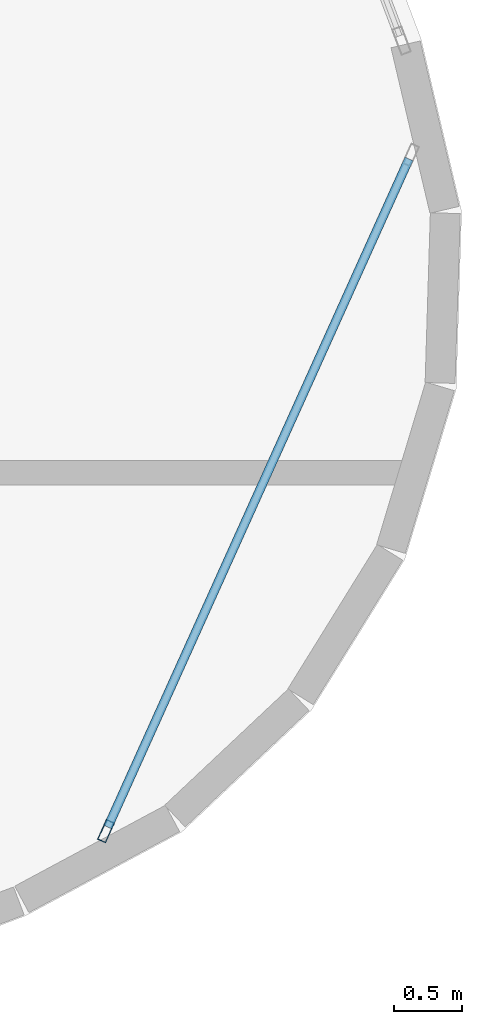
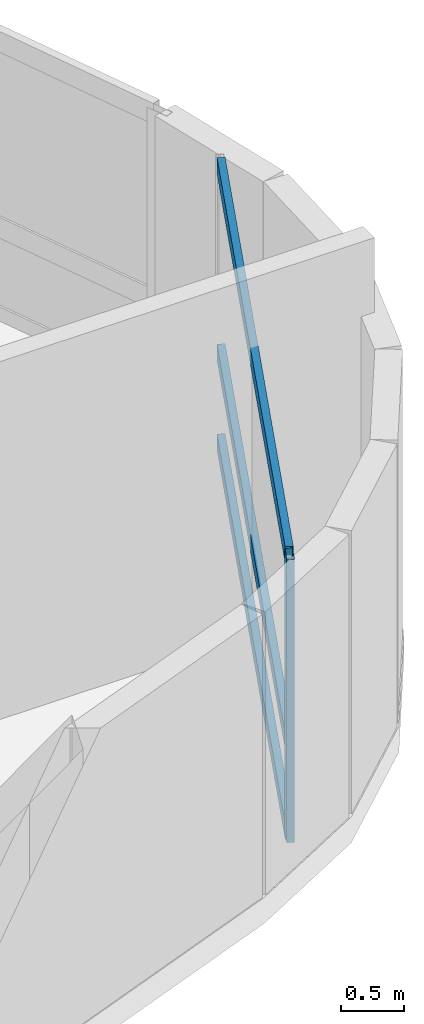
# One storey, part 13 of 23: 4 members, 1 element without a shape of its own.
"""IFC4 building model written with IfcOpenShell, lengths in metres."""

from ifc_helpers import new_model, si_unit, direction, frame, origin, origin_2d, place, context, subcontext, project, spatial, hollow_rectangle, extrude, material, layer, layer_set, material_profile, profile_set, type_object, element, aggregate, save


model = new_model("IFC4")

# Units and contexts
model_context = context("Model", 3, precision=1e-05, world=origin(), true_north=direction((0.0, 1.0)))
body_context = subcontext(model_context, "Body", "Model", "MODEL_VIEW")
ifc_project = project(units=[si_unit("LENGTHUNIT", "METRE"), si_unit("AREAUNIT", "SQUARE_METRE"), si_unit("VOLUMEUNIT", "CUBIC_METRE"), si_unit("PLANEANGLEUNIT", "RADIAN"), si_unit("MASSUNIT", "GRAM", prefix="KILO")], contexts=[model_context])

# Site, building, storey
site_placement = place(None, origin())
site = spatial("IfcSite", under=ifc_project, at=site_placement, CompositionType="ELEMENT")
building_placement = place(site_placement, origin())
building = spatial("IfcBuilding", under=site, at=building_placement, Name="Varnelok Gate Tower", CompositionType="ELEMENT")
storey_placement = place(building_placement, frame((0.0, 0.0, 227.5)))
storey = spatial("IfcBuildingStorey", under=building, at=storey_placement, Name="L58", CompositionType="ELEMENT", Elevation=227.5)

# Curtain wall, members
ifc_material = material(Name="Anodized Aluminum Alloy 6063-T6", Category="aluminium")
ifc_layer = layer(ifc_material, 0.179931640625)
ifc_layer_set = layer_set([ifc_layer], Name="Anodized Aluminum Alloy 6063-T6")
curtain_wall_type = type_object("IfcCurtainWallType", Name="CW5-WINDCORNER-GLAZ", PredefinedType="USERDEFINED", material=ifc_layer_set)
curtain_wall_placement = place(storey_placement, origin())
curtain_wall = element("IfcCurtainWall", 1, at=curtain_wall_placement, inside=storey, type_object=curtain_wall_type, Name="L58 Wind-Shaped Corner Curtain Wall SE", ObjectType="STRUCTURAL GLAZING", PredefinedType="USERDEFINED")
ifc_material_profile_1 = material_profile(ifc_material, hollow_rectangle(XDim=0.06494140625, YDim=0.159912109375, WallThickness=0.00390625, at=origin_2d()), Name="ALU160X65X4")
ifc_profile_set_1 = profile_set([ifc_material_profile_1], Name="Anodized Aluminum Alloy 6063-T6")
member_type_1 = type_object("IfcMemberType", Name="CW-MULL-160", PredefinedType="MULLION", material=ifc_profile_set_1)
member_1_placement = place(storey_placement, frame((73.3642578125, 16.606201171875, 0.0), z_axis=(0.0, 0.0, 1.0), x_axis=(-0.911662816164, 0.410939058285, 0.0)))
member_1 = element("IfcMember", 2, at=member_1_placement, type_object=member_type_1, Name="CW5 mullion 1", PredefinedType="MULLION", context=body_context, shape_type="SweptSolid", body=[
    extrude(hollow_rectangle(XDim=0.06494140625, YDim=0.159912109375, WallThickness=0.00390625, at=origin_2d()), origin(), (0.0, 0.0, 1.0), 2.72998046875),
])
ifc_material_profile_2 = material_profile(ifc_material, hollow_rectangle(XDim=0.06494140625, YDim=0.159912109375, WallThickness=0.00390625, at=origin_2d()), Name="ALU160X65X4")
ifc_profile_set_2 = profile_set([ifc_material_profile_2], Name="Anodized Aluminum Alloy 6063-T6")
member_type_2 = type_object("IfcMemberType", Name="CW-TRAN-160", PredefinedType="USERDEFINED", material=ifc_profile_set_2)
member_2_placement = place(storey_placement, frame((73.377685546875, 16.6357421875, 0.032470703125), z_axis=(0.410911255745, 0.911675347863, 0.0), x_axis=(-0.911675347863, 0.410911255745, 0.0)))
member_2 = element("IfcMember", 3, at=member_2_placement, type_object=member_type_2, Name="CW5 transom 1.1", ObjectType="TRANSOM", PredefinedType="USERDEFINED", context=body_context, shape_type="SweptSolid", body=[
    extrude(hollow_rectangle(XDim=0.06494140625, YDim=0.159912109375, WallThickness=0.00390625, at=origin_2d()), origin(), (0.0, 0.0, 1.0), 5.38525390625),
])
member_3_placement = place(storey_placement, frame((73.377685546875, 16.6357421875, 0.89990234375), z_axis=(0.410911255745, 0.911675347863, 0.0), x_axis=(-0.911675347863, 0.410911255745, 0.0)))
member_3 = element("IfcMember", 4, at=member_3_placement, type_object=member_type_2, Name="CW5 transom 1.2", ObjectType="TRANSOM", PredefinedType="USERDEFINED", context=body_context, shape_type="SweptSolid", body=[
    extrude(hollow_rectangle(XDim=0.06494140625, YDim=0.159912109375, WallThickness=0.00390625, at=origin_2d()), origin(), (0.0, 0.0, 1.0), 5.38525390625),
])
member_4_placement = place(storey_placement, frame((73.377685546875, 16.6357421875, 2.697509765625), z_axis=(0.410911255745, 0.911675347863, 0.0), x_axis=(-0.911675347863, 0.410911255745, 0.0)))
member_4 = element("IfcMember", 5, at=member_4_placement, type_object=member_type_2, Name="CW5 transom 1.3", ObjectType="TRANSOM", PredefinedType="USERDEFINED", context=body_context, shape_type="SweptSolid", body=[
    extrude(hollow_rectangle(XDim=0.06494140625, YDim=0.159912109375, WallThickness=0.00390625, at=origin_2d()), origin(), (0.0, 0.0, 1.0), 5.38525390625),
])
aggregate(curtain_wall, [member_1, member_2, member_3, member_4])

save(model, "model.ifc")
